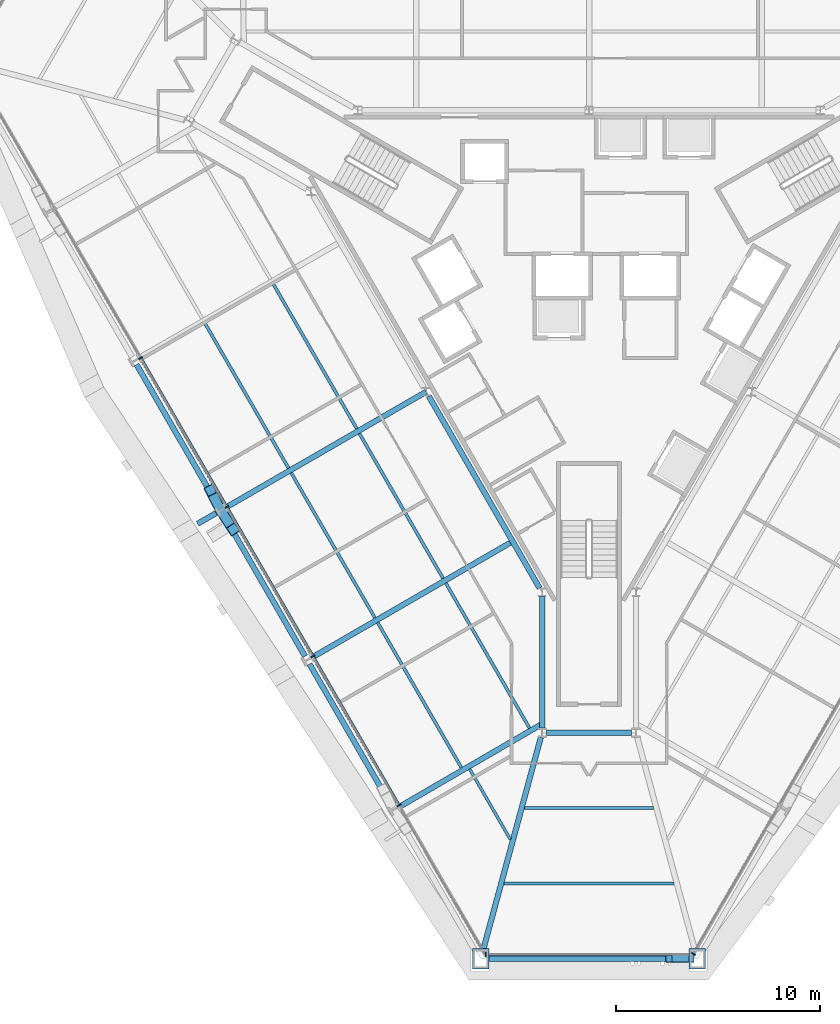
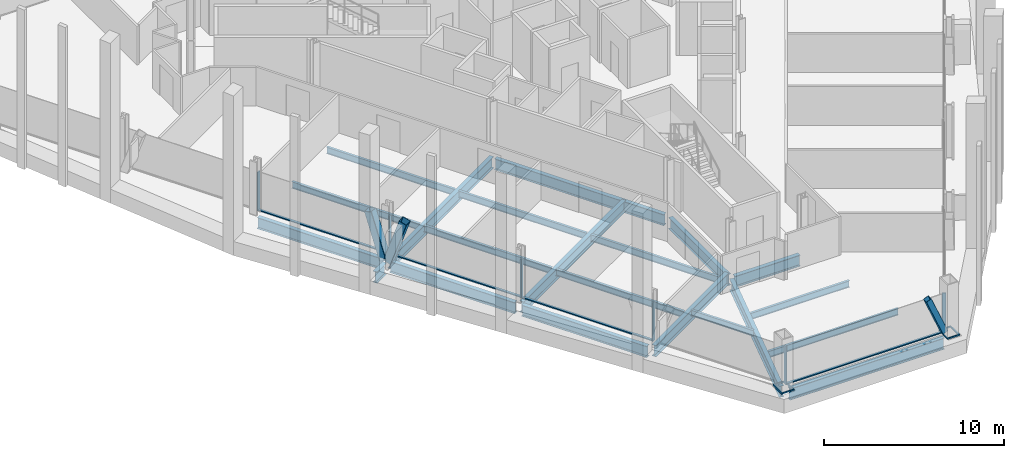
# One storey, part 3 of 16: 21 beams, 15 members, 3 elements without a shape of their own.
"""IFC4 building model written with IfcOpenShell, lengths in metres."""

from ifc_helpers import new_model, si_unit, direction, frame, origin, origin_2d, place, context, subcontext, project, spatial, rectangle, hollow_rectangle, i_section, extrude, material, material_profile, profile_set, type_object, element, aggregate, save


model = new_model("IFC4")

# Units and contexts
model_context = context("Model", 3, precision=1e-05, world=origin(), true_north=direction((0.0, 1.0)))
body_context = subcontext(model_context, "Body", "Model", "MODEL_VIEW")
ifc_project = project(units=[si_unit("LENGTHUNIT", "METRE"), si_unit("AREAUNIT", "SQUARE_METRE"), si_unit("VOLUMEUNIT", "CUBIC_METRE"), si_unit("PLANEANGLEUNIT", "RADIAN"), si_unit("MASSUNIT", "GRAM", prefix="KILO")], contexts=[model_context])

# Site, building, storey
site_placement = place(None, origin())
site = spatial("IfcSite", under=ifc_project, at=site_placement, CompositionType="ELEMENT")
building_placement = place(site_placement, origin())
building = spatial("IfcBuilding", under=site, at=building_placement, Name="Verrane Prism Tower", CompositionType="ELEMENT")
storey_placement = place(building_placement, frame((0.0, 0.0, 36.800048828125)))
storey = spatial("IfcBuildingStorey", under=building, at=storey_placement, Name="L06", CompositionType="ELEMENT", Elevation=36.800048828125)

# Member
ifc_material_1 = material(Name="Steel A500 Grade C", Category="steel")
ifc_material_profile_1 = material_profile(ifc_material_1, hollow_rectangle(XDim=0.355712890625, YDim=0.355712890625, WallThickness=0.0126953125, InnerFilletRadius=0.00634765625, OuterFilletRadius=0.01904296875, at=origin_2d()), Name="HSS14x14x1/2")
ifc_profile_set_1 = profile_set([ifc_material_profile_1], Name="Steel A500 Grade C")
member_type_1 = type_object("IfcMemberType", Name="Chamfer brace HSS14x14x1/2", PredefinedType="BRACE", material=ifc_profile_set_1)
member_1_placement = place(storey_placement, frame((4.97998046875, -32.360107421875, 0.217041015625), z_axis=(-0.387657058196, 0.0, 0.921803669569), x_axis=(0.0, -1.0, 0.0)))
element("IfcMember", 1, at=member_1_placement, inside=storey, type_object=member_type_1, Name="Chamfer brace S0 L06", PredefinedType="BRACE", context=body_context, shape_type="SweptSolid", body=[
    extrude(hollow_rectangle(XDim=0.355712890625, YDim=0.355712890625, WallThickness=0.0126953125, InnerFilletRadius=0.00634765625, OuterFilletRadius=0.01904296875, at=origin_2d()), origin(), (0.0, 0.0, 1.0), 2.756591796875),
])

# Beams
ifc_material_2 = material(Name="Steel A992", Category="steel")
ifc_material_profile_2 = material_profile(ifc_material_2, i_section(OverallWidth=0.2666015625, OverallDepth=0.76708984375, WebThickness=0.014892578125, FlangeThickness=0.023681640625, FilletRadius=0.0166015625, at=origin_2d()), Name="W30x124")
ifc_profile_set_2 = profile_set([ifc_material_profile_2], Name="Steel A992")
beam_type_1 = type_object("IfcBeamType", Name="Chamfer spandrel beam W30x124", PredefinedType="SPANDREL", material=ifc_profile_set_2)
beam_1_placement = place(storey_placement, frame((-4.949951171875, -32.360107421875, -0.54345703125), z_axis=(1.0, 0.0, 0.0), x_axis=(0.0, 1.0, 0.0)))
element("IfcBeam", 2, at=beam_1_placement, inside=storey, type_object=beam_type_1, Name="Chamfer spandrel beam L06", PredefinedType="SPANDREL", context=body_context, shape_type="SweptSolid", body=[
    extrude(i_section(OverallWidth=0.2666015625, OverallDepth=0.76708984375, WebThickness=0.014892578125, FlangeThickness=0.023681640625, FilletRadius=0.0166015625, at=origin_2d()), origin(), (0.0, 0.0, 1.0), 9.89990234375),
])
ifc_material_3 = material(Name="Steel A992", Category="steel")
ifc_material_profile_3 = material_profile(ifc_material_3, i_section(OverallWidth=0.2666015625, OverallDepth=0.7568359375, WebThickness=0.013916015625, FlangeThickness=0.019287109375, FilletRadius=0.0166015625, at=origin_2d()), Name="W30x108")
ifc_profile_set_3 = profile_set([ifc_material_profile_3], Name="Steel A992")
beam_type_2 = type_object("IfcBeamType", Name="Core ring girder W30x108", PredefinedType="BEAM", material=ifc_profile_set_3)
beam_2_placement = place(storey_placement, frame((-7.849609375, -4.808349609375, -0.628662109375), z_axis=(0.500013103396, -0.866017838403, 0.0), x_axis=(0.866017838403, 0.500013103396, 0.0)))
element("IfcBeam", 3, at=beam_2_placement, inside=storey, type_object=beam_type_2, Name="Core ring girder L06", PredefinedType="BEAM", context=body_context, shape_type="SweptSolid", body=[
    extrude(i_section(OverallWidth=0.2666015625, OverallDepth=0.7568359375, WebThickness=0.013916015625, FlangeThickness=0.019287109375, FilletRadius=0.0166015625, at=origin_2d()), origin(), (0.0, 0.0, 1.0), 10.858154296875),
])
beam_3_placement = place(storey_placement, frame((-2.300048828125, -14.62841796875, -0.628662109375), z_axis=(0.0, -1.0, 0.0), x_axis=(1.0, 0.0, 0.0)))
element("IfcBeam", 4, at=beam_3_placement, inside=storey, type_object=beam_type_2, Name="Core ring girder L06", PredefinedType="BEAM", context=body_context, shape_type="SweptSolid", body=[
    extrude(i_section(OverallWidth=0.2666015625, OverallDepth=0.7568359375, WebThickness=0.013916015625, FlangeThickness=0.019287109375, FilletRadius=0.0166015625, at=origin_2d()), origin(), (0.0, 0.0, 1.0), 6.4443359375),
])
beam_4_placement = place(storey_placement, frame((-2.09033203125, -21.300048828125, -0.628662109375), z_axis=(1.0, 0.0, 0.0), x_axis=(0.0, 1.0, 0.0)))
element("IfcBeam", 5, at=beam_4_placement, inside=storey, type_object=beam_type_2, Name="Core ring girder L06", PredefinedType="BEAM", context=body_context, shape_type="SweptSolid", body=[
    extrude(i_section(OverallWidth=0.2666015625, OverallDepth=0.7568359375, WebThickness=0.013916015625, FlangeThickness=0.019287109375, FilletRadius=0.0166015625, at=origin_2d()), origin(), (0.0, 0.0, 1.0), 4.1806640625),
])
ifc_material_4 = material(Name="Steel A992", Category="steel")
ifc_material_profile_4 = material_profile(ifc_material_4, i_section(OverallWidth=0.2666015625, OverallDepth=0.76708984375, WebThickness=0.014892578125, FlangeThickness=0.023681640625, FilletRadius=0.0166015625, at=origin_2d()), Name="W30x124")
ifc_profile_set_4 = profile_set([ifc_material_profile_4], Name="Steel A992")
beam_type_3 = type_object("IfcBeamType", Name="Corner girder W30x124", PredefinedType="BEAM", material=ifc_profile_set_4)
beam_5_placement = place(storey_placement, frame((-5.177978515625, -31.909912109375, -0.603515625), z_axis=(0.261780624044, 0.965127403442, 0.0), x_axis=(-0.965127403442, 0.261780624044, 0.0)))
element("IfcBeam", 6, at=beam_5_placement, inside=storey, type_object=beam_type_3, Name="Corner girder L06", PredefinedType="BEAM", context=body_context, shape_type="SweptSolid", body=[
    extrude(i_section(OverallWidth=0.2666015625, OverallDepth=0.76708984375, WebThickness=0.014892578125, FlangeThickness=0.023681640625, FilletRadius=0.0166015625, at=origin_2d()), origin(), (0.0, 0.0, 1.0), 10.7578125),
])

# Members
ifc_material_5 = material(Name="Steel A1085 Grade A", Category="steel")
ifc_material_profile_5 = material_profile(ifc_material_5, hollow_rectangle(XDim=0.508056640625, YDim=0.508056640625, WallThickness=0.025390625, InnerFilletRadius=0.0126953125, OuterFilletRadius=0.0380859375, at=origin_2d()), Name="HSS20x20x1")
ifc_profile_set_5 = profile_set([ifc_material_profile_5], Name="Steel A1085 Grade A")
member_type_2 = type_object("IfcMemberType", Name="Facade brace HSS20x20x1", PredefinedType="BRACE", material=ifc_profile_set_5)
member_2_placement = place(storey_placement, frame((-18.090576171875, -10.3076171875, -0.19775390625), z_axis=(-0.145243104133, 0.283770666892, 0.947828386003), x_axis=(-0.890174233627, -0.455620273678, 0.0)))
element("IfcMember", 7, at=member_2_placement, inside=storey, type_object=member_type_2, Name="Facade brace SW2 L06", PredefinedType="BRACE", context=body_context, shape_type="SweptSolid", body=[
    extrude(hollow_rectangle(XDim=0.508056640625, YDim=0.508056640625, WallThickness=0.025390625, InnerFilletRadius=0.0126953125, OuterFilletRadius=0.0380859375, at=origin_2d()), origin(), (0.0, 0.0, 1.0), 3.12646484375),
])
member_3_placement = place(storey_placement, frame((-17.97607421875, -10.505615234375, -0.19775390625), z_axis=(0.172986598869, -0.267328725928, 0.947950942246), x_axis=(0.839556996111, 0.543271617408, 0.0)))
element("IfcMember", 8, at=member_3_placement, inside=storey, type_object=member_type_2, Name="Facade brace SW3 L06", PredefinedType="BRACE", context=body_context, shape_type="SweptSolid", body=[
    extrude(hollow_rectangle(XDim=0.508056640625, YDim=0.508056640625, WallThickness=0.025390625, InnerFilletRadius=0.0126953125, OuterFilletRadius=0.0380859375, at=origin_2d()), origin(), (0.0, 0.0, 1.0), 3.1259765625),
])

# Beams
ifc_material_6 = material(Name="Steel A992", Category="steel")
ifc_material_profile_6 = material_profile(ifc_material_6, i_section(OverallWidth=0.140380859375, OverallDepth=0.40380859375, WebThickness=0.007080078125, FlangeThickness=0.01123046875, FilletRadius=0.01025390625, at=origin_2d()), Name="W16x31")
ifc_profile_set_6 = profile_set([ifc_material_profile_6], Name="Steel A992")
beam_type_4 = type_object("IfcBeamType", Name="Floor beam W16x31", PredefinedType="BEAM", material=ifc_profile_set_6)
beam_6_placement = place(storey_placement, frame((-3.85498046875, -26.52294921875, -0.362060546875), z_axis=(-0.499985753801, 0.866033628675, 0.0), x_axis=(-0.866033628675, -0.499985753801, 0.0)))
element("IfcBeam", 9, at=beam_6_placement, inside=storey, type_object=beam_type_4, Name="Floor beam L06", PredefinedType="BEAM", context=body_context, shape_type="SweptSolid", body=[
    extrude(i_section(OverallWidth=0.140380859375, OverallDepth=0.40380859375, WebThickness=0.007080078125, FlangeThickness=0.01123046875, FilletRadius=0.01025390625, at=origin_2d()), origin(), (0.0, 0.0, 1.0), 3.986328125),
])
ifc_material_7 = material(Name="Steel A992", Category="steel")
ifc_material_profile_7 = material_profile(ifc_material_7, i_section(OverallWidth=0.15234375, OverallDepth=0.449462890625, WebThickness=0.007568359375, FlangeThickness=0.0107421875, FilletRadius=0.01025390625, at=origin_2d()), Name="W18x35")
ifc_profile_set_7 = profile_set([ifc_material_profile_7], Name="Steel A992")
beam_type_5 = type_object("IfcBeamType", Name="Floor beam W18x35", PredefinedType="BEAM", material=ifc_profile_set_7)
beam_7_placement = place(storey_placement, frame((-11.37158203125, -6.408203125, -0.384765625), z_axis=(-0.500008883376, 0.866020274904, 0.0), x_axis=(-0.866020274904, -0.500008883376, 0.0)))
element("IfcBeam", 10, at=beam_7_placement, inside=storey, type_object=beam_type_5, Name="Floor beam L06", PredefinedType="BEAM", context=body_context, shape_type="SweptSolid", body=[
    extrude(i_section(OverallWidth=0.15234375, OverallDepth=0.449462890625, WebThickness=0.007568359375, FlangeThickness=0.0107421875, FilletRadius=0.01025390625, at=origin_2d()), origin(), (0.0, 0.0, 1.0), 8.189697265625),
])
beam_8_placement = place(storey_placement, frame((-14.7158203125, -8.337158203125, -0.384765625), z_axis=(-0.499971080413, 0.866042099872, 0.0), x_axis=(-0.866042099872, -0.499971080413, 0.0)))
element("IfcBeam", 11, at=beam_8_placement, inside=storey, type_object=beam_type_5, Name="Floor beam L06", PredefinedType="BEAM", context=body_context, shape_type="SweptSolid", body=[
    extrude(i_section(OverallWidth=0.15234375, OverallDepth=0.449462890625, WebThickness=0.007568359375, FlangeThickness=0.0107421875, FilletRadius=0.01025390625, at=origin_2d()), origin(), (0.0, 0.0, 1.0), 8.1884765625),
])
for number, where, z_axis, x_axis, name in (
    (12, (-7.145751953125, -13.740478515625, -0.384765625), (-0.499993199895, 0.866029329791, 0.0), (-0.866029329791, -0.499993199895, 0.0), "Floor beam L06"),
    (13, (-10.486328125, -15.66748046875, -0.384765625), (-0.499993199895, 0.866029329791, 0.0), (-0.866029329791, -0.499993199895, 0.0), "Floor beam L06"),
):
    element("IfcBeam", number, at=place(storey_placement, frame(where, z_axis=z_axis, x_axis=x_axis)), inside=storey, type_object=beam_type_5, Name=name, PredefinedType="BEAM", context=body_context, shape_type="SweptSolid", body=[
        extrude(i_section(OverallWidth=0.15234375, OverallDepth=0.449462890625, WebThickness=0.007568359375, FlangeThickness=0.0107421875, FilletRadius=0.01025390625, at=origin_2d()), origin(), (0.0, 0.0, 1.0), 8.19580078125),
    ])
beam_9_placement = place(storey_placement, frame((-2.914306640625, -21.0703125, -0.384765625), z_axis=(-0.499989744381, 0.866031324788, 0.0), x_axis=(-0.866031324788, -0.499989744381, 0.0)))
element("IfcBeam", 14, at=beam_9_placement, inside=storey, type_object=beam_type_5, Name="Floor beam L06", PredefinedType="BEAM", context=body_context, shape_type="SweptSolid", body=[
    extrude(i_section(OverallWidth=0.15234375, OverallDepth=0.449462890625, WebThickness=0.007568359375, FlangeThickness=0.0107421875, FilletRadius=0.01025390625, at=origin_2d()), origin(), (0.0, 0.0, 1.0), 8.196533203125),
])
beam_10_placement = place(storey_placement, frame((-6.255615234375, -22.997314453125, -0.384765625), z_axis=(-0.499980301665, 0.866036776325, 0.0), x_axis=(-0.866036776325, -0.499980301665, 0.0)))
element("IfcBeam", 15, at=beam_10_placement, inside=storey, type_object=beam_type_5, Name="Floor beam L06", PredefinedType="BEAM", context=body_context, shape_type="SweptSolid", body=[
    extrude(i_section(OverallWidth=0.15234375, OverallDepth=0.449462890625, WebThickness=0.007568359375, FlangeThickness=0.0107421875, FilletRadius=0.01025390625, at=origin_2d()), origin(), (0.0, 0.0, 1.0), 8.196044921875),
])
beam_11_placement = place(storey_placement, frame((-4.16162109375, -28.67333984375, -0.384765625), z_axis=(1.0, 0.0, 0.0), x_axis=(0.0, 1.0, 0.0)))
element("IfcBeam", 16, at=beam_11_placement, inside=storey, type_object=beam_type_5, Name="Floor beam L06", PredefinedType="BEAM", context=body_context, shape_type="SweptSolid", body=[
    extrude(i_section(OverallWidth=0.15234375, OverallDepth=0.449462890625, WebThickness=0.007568359375, FlangeThickness=0.0107421875, FilletRadius=0.01025390625, at=origin_2d()), origin(), (0.0, 0.0, 1.0), 8.3232421875),
])
beam_12_placement = place(storey_placement, frame((-3.16162109375, -24.98681640625, -0.384765625), z_axis=(1.0, 0.0, 0.0), x_axis=(0.0, 1.0, 0.0)))
element("IfcBeam", 17, at=beam_12_placement, inside=storey, type_object=beam_type_5, Name="Floor beam L06", PredefinedType="BEAM", context=body_context, shape_type="SweptSolid", body=[
    extrude(i_section(OverallWidth=0.15234375, OverallDepth=0.449462890625, WebThickness=0.007568359375, FlangeThickness=0.0107421875, FilletRadius=0.01025390625, at=origin_2d()), origin(), (0.0, 0.0, 1.0), 6.3232421875),
])

# Members
ifc_material_8 = material(Name="Steel A572 Grade 50", Category="steel")
ifc_material_profile_8 = material_profile(ifc_material_8, hollow_rectangle(XDim=0.800048828125, YDim=1.0, WallThickness=0.074951171875, at=origin_2d()), Name="BOX 1000x800x75")
ifc_profile_set_8 = profile_set([ifc_material_profile_8], Name="Steel A572 Grade 50")
member_type_3 = type_object("IfcMemberType", Name="Kink node BOX 1000x800x75", PredefinedType="COLLAR", material=ifc_profile_set_8)
for number, where, z_axis, x_axis, name in (
    (18, (-5.301025390625, -32.362060546875, -0.045166015625), (0.0, 0.0, 1.0), (-1.0, 0.0, 0.0), "Kink node MC2 L06"),
    (19, (5.301025390625, -32.362060546875, -0.045166015625), (0.0, 0.0, 1.0), (-1.0, 0.0, 0.0), "Kink node MC2 L06"),
):
    element("IfcMember", number, at=place(storey_placement, frame(where, z_axis=z_axis, x_axis=x_axis)), inside=storey, type_object=member_type_3, Name=name, PredefinedType="COLLAR", context=body_context, shape_type="SweptSolid", body=[
        extrude(hollow_rectangle(XDim=0.800048828125, YDim=1.0, WallThickness=0.074951171875, at=origin_2d()), origin(), (0.0, 0.0, 1.0), 0.090087890625),
    ])

# Curtain wall, members
ifc_material_9 = material(Name="Aluminium framed insulated glazing", Category="aluminium")
curtain_wall_type = type_object("IfcCurtainWallType", Name="Curtain wall CW-A 8400 module", PredefinedType="NOTDEFINED", material=ifc_material_9)
curtain_wall_1_placement = place(storey_placement, origin())
curtain_wall_1 = element("IfcCurtainWall", 20, at=curtain_wall_1_placement, inside=storey, type_object=curtain_wall_type, Name="Glazed curtain wall south-west face L06", PredefinedType="NOTDEFINED")
ifc_material_10 = material(Name="Aluminium alloy 6063-T6", Category="aluminium")
ifc_material_profile_9 = material_profile(ifc_material_10, rectangle(XDim=0.199951171875, YDim=0.070068359375, at=origin_2d()), Name="Mullion 70x200 aluminium")
ifc_profile_set_9 = profile_set([ifc_material_profile_9], Name="Aluminium alloy 6063-T6")
member_type_4 = type_object("IfcMemberType", Name="Mullion 70x200 aluminium", PredefinedType="MULLION", material=ifc_profile_set_9)
member_4_placement = place(storey_placement, frame((-21.962646484375, -2.941650390625, 0.0), z_axis=(0.0, 0.0, 1.0), x_axis=(0.866025123598, 0.500000485297, 0.0)))
member_4 = element("IfcMember", 21, at=member_4_placement, type_object=member_type_4, Name="CW06.4 mullion 3", PredefinedType="MULLION", context=body_context, shape_type="SweptSolid", body=[
    extrude(rectangle(XDim=0.199951171875, YDim=0.070068359375, at=origin_2d()), origin(), (0.0, 0.0, 1.0), 2.61279296875),
])
member_5_placement = place(storey_placement, frame((-17.74560546875, -10.24560546875, 0.0), z_axis=(0.0, 0.0, 1.0), x_axis=(0.866025123598, 0.500000485297, 0.0)))
member_5 = element("IfcMember", 22, at=member_5_placement, type_object=member_type_4, Name="CW06.4 mullion 4", PredefinedType="MULLION", context=body_context, shape_type="SweptSolid", body=[
    extrude(rectangle(XDim=0.199951171875, YDim=0.070068359375, at=origin_2d()), origin(), (0.0, 0.0, 1.0), 2.61279296875),
])
member_6_placement = place(storey_placement, frame((-13.52880859375, -17.54931640625, 0.0), z_axis=(0.0, 0.0, 1.0), x_axis=(0.866025123598, 0.500000485297, 0.0)))
member_6 = element("IfcMember", 23, at=member_6_placement, type_object=member_type_4, Name="CW06.4 mullion 5", PredefinedType="MULLION", context=body_context, shape_type="SweptSolid", body=[
    extrude(rectangle(XDim=0.199951171875, YDim=0.070068359375, at=origin_2d()), origin(), (0.0, 0.0, 1.0), 2.61279296875),
])
member_7_placement = place(storey_placement, frame((-9.311767578125, -24.853271484375, 0.0), z_axis=(0.0, 0.0, 1.0), x_axis=(0.866025123598, 0.500000485297, 0.0)))
member_7 = element("IfcMember", 24, at=member_7_placement, type_object=member_type_4, Name="CW06.4 mullion 6", PredefinedType="MULLION", context=body_context, shape_type="SweptSolid", body=[
    extrude(rectangle(XDim=0.199951171875, YDim=0.070068359375, at=origin_2d()), origin(), (0.0, 0.0, 1.0), 2.61279296875),
])

# Curtain wall, member
curtain_wall_2_placement = place(storey_placement, origin())
curtain_wall_2 = element("IfcCurtainWall", 25, at=curtain_wall_2_placement, inside=storey, type_object=curtain_wall_type, Name="Glazed curtain wall south corner L06", PredefinedType="NOTDEFINED")
member_8_placement = place(storey_placement, frame((-5.059814453125, -32.1572265625, 0.0), z_axis=(0.0, 0.0, 1.0), x_axis=(0.0, 1.0, 0.0)))
member_8 = element("IfcMember", 26, at=member_8_placement, type_object=member_type_4, Name="CW06.5 mullion 1", PredefinedType="MULLION", context=body_context, shape_type="SweptSolid", body=[
    extrude(rectangle(XDim=0.199951171875, YDim=0.070068359375, at=origin_2d()), origin(), (0.0, 0.0, 1.0), 2.61279296875),
])

curtain_wall_3_placement = place(storey_placement, origin())
curtain_wall_3 = element("IfcCurtainWall", 27, at=curtain_wall_3_placement, inside=storey, type_object=curtain_wall_type, Name="Glazed curtain wall south-east face L06", PredefinedType="NOTDEFINED")
member_9_placement = place(storey_placement, frame((5.1123046875, -32.126953125, 0.0), z_axis=(0.0, 0.0, 1.0), x_axis=(-0.866025123598, 0.500000485297, 0.0)))
member_9 = element("IfcMember", 28, at=member_9_placement, type_object=member_type_4, Name="CW06.6 mullion 1", PredefinedType="MULLION", context=body_context, shape_type="SweptSolid", body=[
    extrude(rectangle(XDim=0.199951171875, YDim=0.070068359375, at=origin_2d()), origin(), (0.0, 0.0, 1.0), 2.61279296875),
])
aggregate(curtain_wall_3, [member_9])

# Beams
ifc_material_11 = material(Name="Steel A992", Category="steel")
ifc_material_profile_10 = material_profile(ifc_material_11, i_section(OverallWidth=0.2666015625, OverallDepth=0.76708984375, WebThickness=0.014892578125, FlangeThickness=0.023681640625, FilletRadius=0.0166015625, at=origin_2d()), Name="W30x124")
ifc_profile_set_10 = profile_set([ifc_material_profile_10], Name="Steel A992")
beam_type_6 = type_object("IfcBeamType", Name="Radial girder W30x124", PredefinedType="BEAM", material=ifc_profile_set_10)
beam_13_placement = place(storey_placement, frame((-17.803466796875, -10.27392578125, -0.603515625), z_axis=(0.865963176172, 0.500107765901, 0.0), x_axis=(-0.500107765901, 0.865963176172, 0.0)))
element("IfcBeam", 29, at=beam_13_placement, inside=storey, type_object=beam_type_6, Name="Radial girder L06", PredefinedType="BEAM", context=body_context, shape_type="SweptSolid", body=[
    extrude(i_section(OverallWidth=0.2666015625, OverallDepth=0.76708984375, WebThickness=0.014892578125, FlangeThickness=0.023681640625, FilletRadius=0.0166015625, at=origin_2d()), origin(), (0.0, 0.0, 1.0), 11.35302734375),
])
beam_14_placement = place(storey_placement, frame((-13.568359375, -17.61279296875, -0.603515625), z_axis=(0.865515085395, 0.500882857517, 0.0), x_axis=(-0.500882857517, 0.865515085395, 0.0)))
element("IfcBeam", 30, at=beam_14_placement, inside=storey, type_object=beam_type_6, Name="Radial girder L06", PredefinedType="BEAM", context=body_context, shape_type="SweptSolid", body=[
    extrude(i_section(OverallWidth=0.2666015625, OverallDepth=0.76708984375, WebThickness=0.014892578125, FlangeThickness=0.023681640625, FilletRadius=0.0166015625, at=origin_2d()), origin(), (0.0, 0.0, 1.0), 11.35498046875),
])
beam_15_placement = place(storey_placement, frame((-9.332275390625, -24.952392578125, -0.603515625), z_axis=(0.864605143586, 0.502451933706, 0.0), x_axis=(-0.502451933706, 0.864605143586, 0.0)))
element("IfcBeam", 31, at=beam_15_placement, inside=storey, type_object=beam_type_6, Name="Radial girder L06", PredefinedType="BEAM", context=body_context, shape_type="SweptSolid", body=[
    extrude(i_section(OverallWidth=0.2666015625, OverallDepth=0.76708984375, WebThickness=0.014892578125, FlangeThickness=0.023681640625, FilletRadius=0.0166015625, at=origin_2d()), origin(), (0.0, 0.0, 1.0), 8.133544921875),
])
beam_16_placement = place(storey_placement, frame((-18.260498046875, -10.5361328125, -0.603515625), z_axis=(-0.865988129768, -0.500064554934, 0.0), x_axis=(0.500064554934, -0.865988129768, 0.0)))
element("IfcBeam", 32, at=beam_16_placement, inside=storey, type_object=beam_type_6, Name="Cantilever girder L06", PredefinedType="BEAM", context=body_context, shape_type="SweptSolid", body=[
    extrude(i_section(OverallWidth=0.2666015625, OverallDepth=0.76708984375, WebThickness=0.014892578125, FlangeThickness=0.023681640625, FilletRadius=0.0166015625, at=origin_2d()), origin(), (0.0, 0.0, 1.0), 1.050048828125),
])
ifc_material_12 = material(Name="Steel A992", Category="steel")
ifc_material_profile_11 = material_profile(ifc_material_12, i_section(OverallWidth=0.2666015625, OverallDepth=0.7568359375, WebThickness=0.013916015625, FlangeThickness=0.019287109375, FilletRadius=0.0166015625, at=origin_2d()), Name="W30x108")
ifc_profile_set_11 = profile_set([ifc_material_profile_11], Name="Steel A992")
beam_type_7 = type_object("IfcBeamType", Name="Spandrel beam W30x108", PredefinedType="SPANDREL", material=ifc_profile_set_11)
beam_17_placement = place(storey_placement, frame((-22.158935546875, -3.2666015625, -0.53857421875), z_axis=(0.500306993855, -0.865848088235, 0.0), x_axis=(0.865848088235, 0.500306993855, 0.0)))
element("IfcBeam", 33, at=beam_17_placement, inside=storey, type_object=beam_type_7, Name="Spandrel beam L06", PredefinedType="SPANDREL", context=body_context, shape_type="SweptSolid", body=[
    extrude(i_section(OverallWidth=0.2666015625, OverallDepth=0.7568359375, WebThickness=0.013916015625, FlangeThickness=0.019287109375, FilletRadius=0.0166015625, at=origin_2d()), origin(), (0.0, 0.0, 1.0), 8.025390625),
])
beam_18_placement = place(storey_placement, frame((-17.9228515625, -10.59814453125, -0.53857421875), z_axis=(0.49982069883, -0.866128898618, 0.0), x_axis=(0.866128898618, 0.49982069883, 0.0)))
element("IfcBeam", 34, at=beam_18_placement, inside=storey, type_object=beam_type_7, Name="Spandrel beam L06", PredefinedType="SPANDREL", context=body_context, shape_type="SweptSolid", body=[
    extrude(i_section(OverallWidth=0.2666015625, OverallDepth=0.7568359375, WebThickness=0.013916015625, FlangeThickness=0.019287109375, FilletRadius=0.0166015625, at=origin_2d()), origin(), (0.0, 0.0, 1.0), 8.03125),
])
beam_19_placement = place(storey_placement, frame((-13.687744140625, -17.93701171875, -0.53857421875), z_axis=(0.49986891155, -0.866101074509, 0.0), x_axis=(0.866101074509, 0.49986891155, 0.0)))
element("IfcBeam", 35, at=beam_19_placement, inside=storey, type_object=beam_type_7, Name="Spandrel beam L06", PredefinedType="SPANDREL", context=body_context, shape_type="SweptSolid", body=[
    extrude(i_section(OverallWidth=0.2666015625, OverallDepth=0.7568359375, WebThickness=0.013916015625, FlangeThickness=0.019287109375, FilletRadius=0.0166015625, at=origin_2d()), origin(), (0.0, 0.0, 1.0), 8.032958984375),
])

# Member
ifc_material_13 = material(Name="Aluminium alloy 6063-T6", Category="aluminium")
ifc_material_profile_12 = material_profile(ifc_material_13, rectangle(XDim=0.14990234375, YDim=0.070068359375, at=origin_2d()), Name="Transom 70x150 aluminium")
ifc_profile_set_12 = profile_set([ifc_material_profile_12], Name="Aluminium alloy 6063-T6")
member_type_5 = type_object("IfcMemberType", Name="Transom 70x150 aluminium", PredefinedType="USERDEFINED", material=ifc_profile_set_12)
member_10_placement = place(storey_placement, frame((-21.945068359375, -2.971923828125, 0.034912109375), z_axis=(0.500003770246, -0.866023227021, 0.0), x_axis=(0.866023227021, 0.500003770246, 0.0)))
member_10 = element("IfcMember", 36, at=member_10_placement, type_object=member_type_5, Name="CW06.4 transom 3", ObjectType="TRANSOM", PredefinedType="USERDEFINED", context=body_context, shape_type="SweptSolid", body=[
    extrude(rectangle(XDim=0.14990234375, YDim=0.070068359375, at=origin_2d()), origin(), (0.0, 0.0, 1.0), 8.36376953125),
])

member_11_placement = place(storey_placement, frame((-17.728271484375, -10.27587890625, 0.034912109375), z_axis=(0.500003770246, -0.866023227021, 0.0), x_axis=(0.866023227021, 0.500003770246, 0.0)))
member_11 = element("IfcMember", 37, at=member_11_placement, type_object=member_type_5, Name="CW06.4 transom 4", ObjectType="TRANSOM", PredefinedType="USERDEFINED", context=body_context, shape_type="SweptSolid", body=[
    extrude(rectangle(XDim=0.14990234375, YDim=0.070068359375, at=origin_2d()), origin(), (0.0, 0.0, 1.0), 8.36376953125),
])

member_12_placement = place(storey_placement, frame((-13.51123046875, -17.579833984375, 0.034912109375), z_axis=(0.500003770246, -0.866023227021, 0.0), x_axis=(0.866023227021, 0.500003770246, 0.0)))
member_12 = element("IfcMember", 38, at=member_12_placement, type_object=member_type_5, Name="CW06.4 transom 5", ObjectType="TRANSOM", PredefinedType="USERDEFINED", context=body_context, shape_type="SweptSolid", body=[
    extrude(rectangle(XDim=0.14990234375, YDim=0.070068359375, at=origin_2d()), origin(), (0.0, 0.0, 1.0), 8.36376953125),
])

aggregate(curtain_wall_1, [member_4, member_5, member_6, member_7, member_10, member_11, member_12])

member_13_placement = place(storey_placement, frame((-5.02490234375, -32.1572265625, 0.034912109375), z_axis=(1.0, 0.0, 0.0), x_axis=(0.0, 1.0, 0.0)))
member_13 = element("IfcMember", 39, at=member_13_placement, type_object=member_type_5, Name="CW06.5 transom 1", ObjectType="TRANSOM", PredefinedType="USERDEFINED", context=body_context, shape_type="SweptSolid", body=[
    extrude(rectangle(XDim=0.14990234375, YDim=0.070068359375, at=origin_2d()), origin(), (0.0, 0.0, 1.0), 10.119873046875),
])

aggregate(curtain_wall_2, [member_8, member_13])

save(model, "model.ifc")
